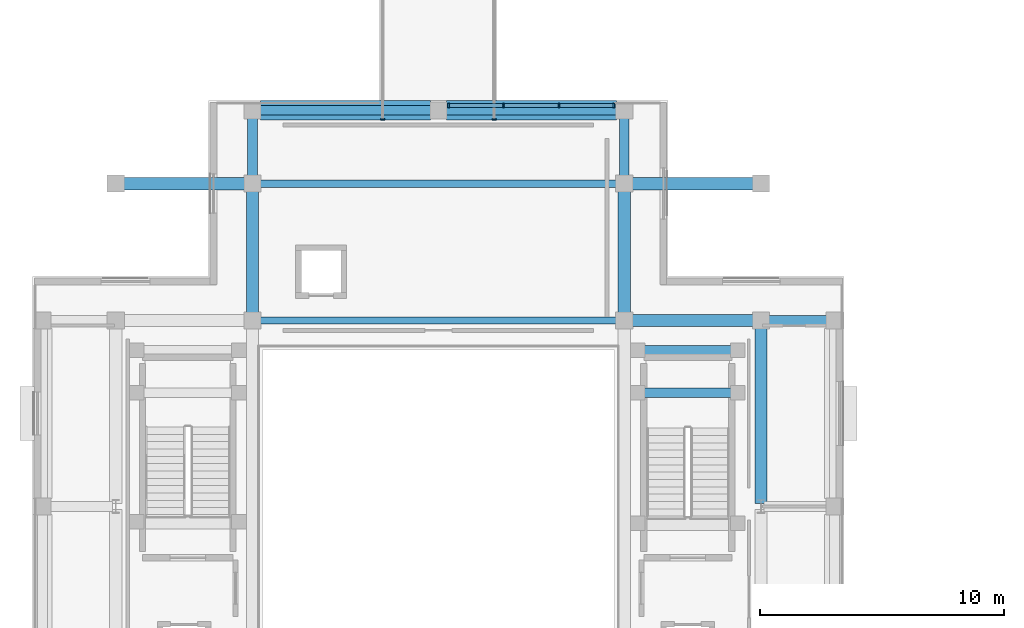
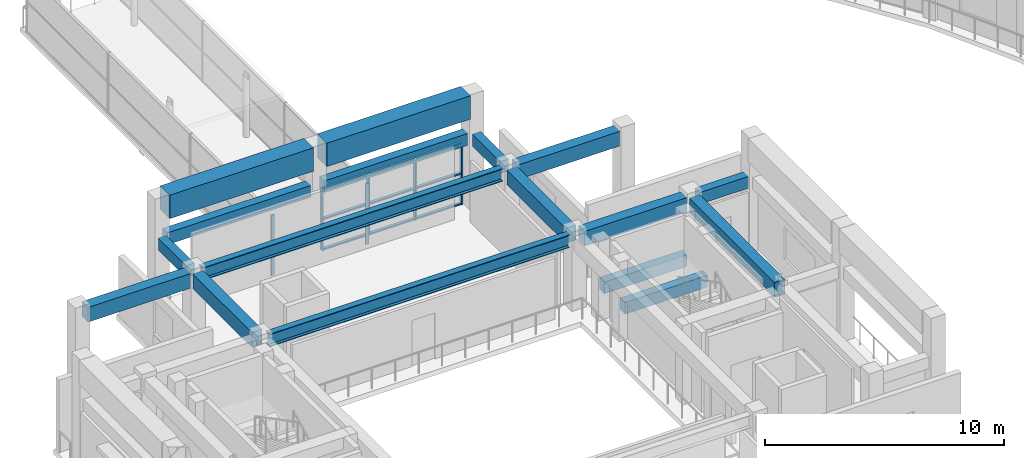
# One storey, part 8 of 29: 17 beams, 15 members, 3 elements without a shape of their own.
"""IFC4 building model written with IfcOpenShell, lengths in metres."""

from ifc_helpers import new_model, si_unit, direction, frame, origin, origin_2d, place, context, subcontext, project, spatial, rectangle, i_section, extrude, material, material_profile, profile_set, type_object, element, aggregate, save


model = new_model("IFC4")

# Units and contexts
model_context = context("Model", 3, precision=1e-05, world=origin(), true_north=direction((0.0, 1.0)))
body_context = subcontext(model_context, "Body", "Model", "MODEL_VIEW")
ifc_project = project(units=[si_unit("LENGTHUNIT", "METRE"), si_unit("AREAUNIT", "SQUARE_METRE"), si_unit("VOLUMEUNIT", "CUBIC_METRE"), si_unit("PLANEANGLEUNIT", "RADIAN"), si_unit("MASSUNIT", "GRAM", prefix="KILO")], contexts=[model_context])

# Site, building, storey
site_placement = place(None, origin())
site = spatial("IfcSite", under=ifc_project, at=site_placement, CompositionType="ELEMENT")
building_placement = place(site_placement, origin())
building = spatial("IfcBuilding", under=site, at=building_placement, Name="Saryqyr Civic Hall", CompositionType="ELEMENT")
storey_placement = place(building_placement, frame((0.0, 0.0, 25.35009765625)))
storey = spatial("IfcBuildingStorey", under=building, at=storey_placement, Name="L06", CompositionType="ELEMENT", Elevation=25.35009765625)

# Curtain wall, member
ifc_material_1 = material(Name="Anodised aluminium and triple low-E glass", Category="aluminium")
curtain_wall_type_1 = type_object("IfcCurtainWallType", Name="ENV-CW-STD-88", PredefinedType="NOTDEFINED", material=ifc_material_1)
curtain_wall_1_placement = place(storey_placement, origin())
curtain_wall_1 = element("IfcCurtainWall", 1, at=curtain_wall_1_placement, inside=storey, type_object=curtain_wall_type_1, Name="Curtain wall BR-CN-CW1-L06", PredefinedType="NOTDEFINED")
ifc_material_2 = material(Name="Anodised aluminium", Category="aluminium")
ifc_material_profile_1 = material_profile(ifc_material_2, rectangle(XDim=0.06005859375, YDim=0.159912109375, at=origin_2d()), Name="ALU MULLION 60x160")
ifc_profile_set_1 = profile_set([ifc_material_profile_1], Name="Anodised aluminium")
member_type_1 = type_object("IfcMemberType", Name="ENV-CW-MUL-180", PredefinedType="MULLION", material=ifc_profile_set_1)
member_1_placement = place(storey_placement, frame((54.719970703125, 99.830078125, 0.0), z_axis=(0.0, 0.0, 1.0), x_axis=(0.0, 1.0, 0.0)))
member_1 = element("IfcMember", 2, at=member_1_placement, type_object=member_type_1, Name="CW-88 mullion 1", PredefinedType="MULLION", context=body_context, shape_type="SweptSolid", body=[
    extrude(rectangle(XDim=0.06005859375, YDim=0.159912109375, at=origin_2d()), origin(), (0.0, 0.0, 1.0), 3.099853515625),
])
aggregate(curtain_wall_1, [member_1])

curtain_wall_2_placement = place(storey_placement, origin())
curtain_wall_2 = element("IfcCurtainWall", 3, at=curtain_wall_2_placement, inside=storey, type_object=curtain_wall_type_1, Name="Curtain wall BR-CN-CW2-L06", PredefinedType="NOTDEFINED")
member_2_placement = place(storey_placement, frame((59.280029296875, 99.830078125, 0.0), z_axis=(0.0, 0.0, 1.0), x_axis=(0.0, -1.0, 0.0)))
member_2 = element("IfcMember", 4, at=member_2_placement, type_object=member_type_1, Name="CW-88 mullion 4", PredefinedType="MULLION", context=body_context, shape_type="SweptSolid", body=[
    extrude(rectangle(XDim=0.06005859375, YDim=0.159912109375, at=origin_2d()), origin(), (0.0, 0.0, 1.0), 3.099853515625),
])
aggregate(curtain_wall_2, [member_2])

# Curtain wall, members
curtain_wall_type_2 = type_object("IfcCurtainWallType", Name="ENV-CW-HVY-49", PredefinedType="NOTDEFINED", material=ifc_material_1)
curtain_wall_3_placement = place(storey_placement, origin())
curtain_wall_3 = element("IfcCurtainWall", 5, at=curtain_wall_3_placement, inside=storey, type_object=curtain_wall_type_2, Name="Curtain wall V1-CW-L06-05", PredefinedType="NOTDEFINED")
ifc_material_profile_2 = material_profile(ifc_material_2, rectangle(XDim=0.070068359375, YDim=0.199951171875, at=origin_2d()), Name="ALU MULLION 70x200")
ifc_profile_set_2 = profile_set([ifc_material_profile_2], Name="Anodised aluminium")
member_type_2 = type_object("IfcMemberType", Name="ENV-CW-MUL-220", PredefinedType="MULLION", material=ifc_profile_set_2)
member_3_placement = place(storey_placement, frame((57.425048828125, 100.39990234375, 0.0), z_axis=(0.0, 0.0, 1.0), x_axis=(1.0, 0.0, 0.0)))
member_3 = element("IfcMember", 6, at=member_3_placement, type_object=member_type_2, Name="CW-49 mullion 1", PredefinedType="MULLION", context=body_context, shape_type="SweptSolid", body=[
    extrude(rectangle(XDim=0.070068359375, YDim=0.199951171875, at=origin_2d()), origin(), (0.0, 0.0, 1.0), 3.1748046875),
])
member_4_placement = place(storey_placement, frame((59.663330078125, 100.39990234375, 0.0), z_axis=(0.0, 0.0, 1.0), x_axis=(1.0, 0.0, 0.0)))
member_4 = element("IfcMember", 7, at=member_4_placement, type_object=member_type_2, Name="CW-49 mullion 2", PredefinedType="MULLION", context=body_context, shape_type="SweptSolid", body=[
    extrude(rectangle(XDim=0.070068359375, YDim=0.199951171875, at=origin_2d()), origin(), (0.0, 0.0, 1.0), 3.1748046875),
])
member_5_placement = place(storey_placement, frame((61.936767578125, 100.39990234375, 0.0), z_axis=(0.0, 0.0, 1.0), x_axis=(1.0, 0.0, 0.0)))
member_5 = element("IfcMember", 8, at=member_5_placement, type_object=member_type_2, Name="CW-49 mullion 3", PredefinedType="MULLION", context=body_context, shape_type="SweptSolid", body=[
    extrude(rectangle(XDim=0.070068359375, YDim=0.199951171875, at=origin_2d()), origin(), (0.0, 0.0, 1.0), 3.1748046875),
])
member_6_placement = place(storey_placement, frame((64.175048828125, 100.39990234375, 0.0), z_axis=(0.0, 0.0, 1.0), x_axis=(1.0, 0.0, 0.0)))
member_6 = element("IfcMember", 9, at=member_6_placement, type_object=member_type_2, Name="CW-49 mullion 4", PredefinedType="MULLION", context=body_context, shape_type="SweptSolid", body=[
    extrude(rectangle(XDim=0.070068359375, YDim=0.199951171875, at=origin_2d()), origin(), (0.0, 0.0, 1.0), 3.1748046875),
])
ifc_material_profile_3 = material_profile(ifc_material_2, rectangle(XDim=0.14990234375, YDim=0.070068359375, at=origin_2d()), Name="ALU TRANSOM 150x70")
ifc_profile_set_3 = profile_set([ifc_material_profile_3], Name="Anodised aluminium")
member_type_3 = type_object("IfcMemberType", Name="ENV-CW-TRN-180", PredefinedType="USERDEFINED", material=ifc_profile_set_3)
member_7_placement = place(storey_placement, frame((57.4599609375, 100.39990234375, 0.034912109375), z_axis=(1.0, 0.0, 0.0), x_axis=(0.0, 1.0, 0.0)))
member_7 = element("IfcMember", 10, at=member_7_placement, type_object=member_type_3, Name="CW-49 transom 1.1", ObjectType="TRANSOM", PredefinedType="USERDEFINED", context=body_context, shape_type="SweptSolid", body=[
    extrude(rectangle(XDim=0.14990234375, YDim=0.070068359375, at=origin_2d()), origin(), (0.0, 0.0, 1.0), 2.16845703125),
])
member_8_placement = place(storey_placement, frame((57.4599609375, 100.39990234375, 1.587890625), z_axis=(1.0, 0.0, 0.0), x_axis=(0.0, 1.0, 0.0)))
member_8 = element("IfcMember", 11, at=member_8_placement, type_object=member_type_3, Name="CW-49 transom 1.2", ObjectType="TRANSOM", PredefinedType="USERDEFINED", context=body_context, shape_type="SweptSolid", body=[
    extrude(rectangle(XDim=0.14990234375, YDim=0.070068359375, at=origin_2d()), origin(), (0.0, 0.0, 1.0), 2.16845703125),
])
member_9_placement = place(storey_placement, frame((57.4599609375, 100.39990234375, 3.139892578125), z_axis=(1.0, 0.0, 0.0), x_axis=(0.0, 1.0, 0.0)))
member_9 = element("IfcMember", 12, at=member_9_placement, type_object=member_type_3, Name="CW-49 transom 1.3", ObjectType="TRANSOM", PredefinedType="USERDEFINED", context=body_context, shape_type="SweptSolid", body=[
    extrude(rectangle(XDim=0.14990234375, YDim=0.070068359375, at=origin_2d()), origin(), (0.0, 0.0, 1.0), 2.16845703125),
])
member_10_placement = place(storey_placement, frame((59.6982421875, 100.39990234375, 0.034912109375), z_axis=(1.0, 0.0, 0.0), x_axis=(0.0, 1.0, 0.0)))
member_10 = element("IfcMember", 13, at=member_10_placement, type_object=member_type_3, Name="CW-49 transom 2.1", ObjectType="TRANSOM", PredefinedType="USERDEFINED", context=body_context, shape_type="SweptSolid", body=[
    extrude(rectangle(XDim=0.14990234375, YDim=0.070068359375, at=origin_2d()), origin(), (0.0, 0.0, 1.0), 2.203369140625),
])
member_11_placement = place(storey_placement, frame((59.6982421875, 100.39990234375, 1.587890625), z_axis=(1.0, 0.0, 0.0), x_axis=(0.0, 1.0, 0.0)))
member_11 = element("IfcMember", 14, at=member_11_placement, type_object=member_type_3, Name="CW-49 transom 2.2", ObjectType="TRANSOM", PredefinedType="USERDEFINED", context=body_context, shape_type="SweptSolid", body=[
    extrude(rectangle(XDim=0.14990234375, YDim=0.070068359375, at=origin_2d()), origin(), (0.0, 0.0, 1.0), 2.203369140625),
])
member_12_placement = place(storey_placement, frame((59.6982421875, 100.39990234375, 3.139892578125), z_axis=(1.0, 0.0, 0.0), x_axis=(0.0, 1.0, 0.0)))
member_12 = element("IfcMember", 15, at=member_12_placement, type_object=member_type_3, Name="CW-49 transom 2.3", ObjectType="TRANSOM", PredefinedType="USERDEFINED", context=body_context, shape_type="SweptSolid", body=[
    extrude(rectangle(XDim=0.14990234375, YDim=0.070068359375, at=origin_2d()), origin(), (0.0, 0.0, 1.0), 2.203369140625),
])
member_13_placement = place(storey_placement, frame((61.9716796875, 100.39990234375, 0.034912109375), z_axis=(1.0, 0.0, 0.0), x_axis=(0.0, 1.0, 0.0)))
member_13 = element("IfcMember", 16, at=member_13_placement, type_object=member_type_3, Name="CW-49 transom 3.1", ObjectType="TRANSOM", PredefinedType="USERDEFINED", context=body_context, shape_type="SweptSolid", body=[
    extrude(rectangle(XDim=0.14990234375, YDim=0.070068359375, at=origin_2d()), origin(), (0.0, 0.0, 1.0), 2.168212890625),
])
member_14_placement = place(storey_placement, frame((61.9716796875, 100.39990234375, 1.587890625), z_axis=(1.0, 0.0, 0.0), x_axis=(0.0, 1.0, 0.0)))
member_14 = element("IfcMember", 17, at=member_14_placement, type_object=member_type_3, Name="CW-49 transom 3.2", ObjectType="TRANSOM", PredefinedType="USERDEFINED", context=body_context, shape_type="SweptSolid", body=[
    extrude(rectangle(XDim=0.14990234375, YDim=0.070068359375, at=origin_2d()), origin(), (0.0, 0.0, 1.0), 2.168212890625),
])
member_15_placement = place(storey_placement, frame((61.9716796875, 100.39990234375, 3.139892578125), z_axis=(1.0, 0.0, 0.0), x_axis=(0.0, 1.0, 0.0)))
member_15 = element("IfcMember", 18, at=member_15_placement, type_object=member_type_3, Name="CW-49 transom 3.3", ObjectType="TRANSOM", PredefinedType="USERDEFINED", context=body_context, shape_type="SweptSolid", body=[
    extrude(rectangle(XDim=0.14990234375, YDim=0.070068359375, at=origin_2d()), origin(), (0.0, 0.0, 1.0), 2.168212890625),
])
aggregate(curtain_wall_3, [member_3, member_4, member_5, member_6, member_7, member_8, member_9, member_10, member_11, member_12, member_13, member_14, member_15])

# Beams
ifc_material_3 = material(Name="Steel S355", Category="steel")
ifc_material_profile_4 = material_profile(ifc_material_3, i_section(OverallWidth=0.300048828125, OverallDepth=0.64990234375, WebThickness=0.01611328125, FlangeThickness=0.031005859375, at=origin_2d()), Name="HEB 650")
ifc_profile_set_4 = profile_set([ifc_material_profile_4], Name="Steel S355")
beam_type_1 = type_object("IfcBeamType", Name="STR-BM-HEB650", PredefinedType="BEAM", material=ifc_profile_set_4)
for number, where, z_axis, x_axis, name in (
    (19, (49.72509765625, 91.60009765625, 3.474853515625), (1.0, 0.0, 0.0), (0.0, 1.0, 0.0), "Beam V1-GBM-EW3-L06"),
    (20, (49.72509765625, 97.199951171875, 3.474853515625), (1.0, 0.0, 0.0), (0.0, 1.0, 0.0), "Beam V1-GBM-EW4-L06"),
):
    element("IfcBeam", number, at=place(storey_placement, frame(where, z_axis=z_axis, x_axis=x_axis)), inside=storey, type_object=beam_type_1, Name=name, PredefinedType="BEAM", context=body_context, shape_type="SweptSolid", body=[
        extrude(i_section(OverallWidth=0.300048828125, OverallDepth=0.64990234375, WebThickness=0.01611328125, FlangeThickness=0.031005859375, at=origin_2d()), origin(), (0.0, 0.0, 1.0), 14.5498046875),
    ])
ifc_material_4 = material(Name="Concrete C35/45", Category="concrete")
ifc_material_profile_5 = material_profile(ifc_material_4, rectangle(XDim=0.39990234375, YDim=0.60009765625, at=origin_2d()), Name="RC 400x600")
ifc_profile_set_5 = profile_set([ifc_material_profile_5], Name="Concrete C35/45")
beam_type_2 = type_object("IfcBeamType", Name="STR-BM-RC400x600", PredefinedType="BEAM", material=ifc_profile_set_5)
for number, where, z_axis, x_axis, name in (
    (21, (70.52490234375, 91.60009765625, 3.5), (1.0, 0.0, 0.0), (0.0, 1.0, 0.0), "Beam V1-TBM-06-L06"),
    (22, (49.39990234375, 97.52490234375, 3.5), (0.0, 1.0, 0.0), (-1.0, 0.0, 0.0), "Beam V1-TBM-09-L06"),
    (23, (64.60009765625, 97.52490234375, 3.5), (0.0, 1.0, 0.0), (-1.0, 0.0, 0.0), "Beam V1-TBM-10-L06"),
):
    element("IfcBeam", number, at=place(storey_placement, frame(where, z_axis=z_axis, x_axis=x_axis)), inside=storey, type_object=beam_type_2, Name=name, PredefinedType="BEAM", context=body_context, shape_type="SweptSolid", body=[
        extrude(rectangle(XDim=0.39990234375, YDim=0.60009765625, at=origin_2d()), origin(), (0.0, 0.0, 1.0), 2.35009765625),
    ])
for number, where, z_axis, x_axis, name in (
    (24, (49.72509765625, 100.199951171875, 3.5), (1.0, 0.0, 0.0), (0.0, 1.0, 0.0), "Beam V1-TBM-17-L06"),
    (25, (57.324951171875, 100.199951171875, 3.5), (1.0, 0.0, 0.0), (0.0, 1.0, 0.0), "Beam V1-TBM-18-L06"),
):
    element("IfcBeam", number, at=place(storey_placement, frame(where, z_axis=z_axis, x_axis=x_axis)), inside=storey, type_object=beam_type_2, Name=name, PredefinedType="BEAM", context=body_context, shape_type="SweptSolid", body=[
        extrude(rectangle(XDim=0.39990234375, YDim=0.60009765625, at=origin_2d()), origin(), (0.0, 0.0, 1.0), 6.949951171875),
    ])
for number, where, z_axis, x_axis, name in (
    (26, (69.199951171875, 88.64990234375, 1.52490234375), (-1.0, 0.0, 0.0), (0.0, -1.0, 0.0), "Stair half-landing support beam ST-2-LND1-L06"),
    (27, (69.199951171875, 90.3798828125, 1.52490234375), (-1.0, 0.0, 0.0), (0.0, -1.0, 0.0), "Stair half-landing support beam ST-2-LND2-L06"),
):
    element("IfcBeam", number, at=place(storey_placement, frame(where, z_axis=z_axis, x_axis=x_axis)), inside=storey, type_object=beam_type_2, Name=name, PredefinedType="BEAM", context=body_context, shape_type="SweptSolid", body=[
        extrude(rectangle(XDim=0.39990234375, YDim=0.60009765625, at=origin_2d()), origin(), (0.0, 0.0, 1.0), 4.0),
    ])
ifc_material_5 = material(Name="Concrete C40/50", Category="concrete")
ifc_material_profile_6 = material_profile(ifc_material_5, rectangle(XDim=0.5, YDim=0.75, at=origin_2d()), Name="RC 500x750")
ifc_profile_set_6 = profile_set([ifc_material_profile_6], Name="Concrete C40/50")
beam_type_3 = type_object("IfcBeamType", Name="STR-BM-RC500x750", PredefinedType="BEAM", material=ifc_profile_set_6)
for number, where, z_axis, x_axis, name in (
    (28, (64.925048828125, 91.60009765625, 3.4248046875), (1.0, 0.0, 0.0), (0.0, 1.0, 0.0), "Beam V1-WBM-E3-L06"),
    (29, (44.125, 97.199951171875, 3.4248046875), (1.0, 0.0, 0.0), (0.0, 1.0, 0.0), "Beam V1-WBM-W4-L06"),
    (30, (64.925048828125, 97.199951171875, 3.4248046875), (1.0, 0.0, 0.0), (0.0, 1.0, 0.0), "Beam V1-WBM-E4-L06"),
    (31, (49.39990234375, 91.925048828125, 3.4248046875), (0.0, 1.0, 0.0), (-1.0, 0.0, 0.0), "Beam V1-BM-NS23-L06"),
    (32, (64.60009765625, 91.925048828125, 3.4248046875), (0.0, 1.0, 0.0), (-1.0, 0.0, 0.0), "Beam V1-BM-NS33-L06"),
):
    element("IfcBeam", number, at=place(storey_placement, frame(where, z_axis=z_axis, x_axis=x_axis)), inside=storey, type_object=beam_type_3, Name=name, PredefinedType="BEAM", context=body_context, shape_type="SweptSolid", body=[
        extrude(rectangle(XDim=0.5, YDim=0.75, at=origin_2d()), origin(), (0.0, 0.0, 1.0), 4.949951171875),
    ])
beam_placement = place(storey_placement, frame((70.199951171875, 84.125, 3.4248046875), z_axis=(0.0, 1.0, 0.0), x_axis=(-1.0, 0.0, 0.0)))
element("IfcBeam", 33, at=beam_placement, inside=storey, type_object=beam_type_3, Name="Beam V1-BM-NS4B-L06", PredefinedType="BEAM", context=body_context, shape_type="SweptSolid", body=[
    extrude(rectangle(XDim=0.5, YDim=0.75, at=origin_2d()), origin(), (0.0, 0.0, 1.0), 7.14990234375),
])
ifc_material_profile_7 = material_profile(ifc_material_5, rectangle(XDim=0.800048828125, YDim=1.199951171875, at=origin_2d()), Name="RC 800x1200")
ifc_profile_set_7 = profile_set([ifc_material_profile_7], Name="Concrete C40/50")
beam_type_4 = type_object("IfcBeamType", Name="STR-BM-RING-RC800x1200", PredefinedType="BEAM", material=ifc_profile_set_7)
for number, where, z_axis, x_axis, name in (
    (34, (49.72509765625, 100.199951171875, 5.25), (1.0, 0.0, 0.0), (0.0, 1.0, 0.0), "Beam V1-RB31-07"),
    (35, (57.324951171875, 100.199951171875, 5.25), (1.0, 0.0, 0.0), (0.0, 1.0, 0.0), "Beam V1-RB31-08"),
):
    element("IfcBeam", number, at=place(storey_placement, frame(where, z_axis=z_axis, x_axis=x_axis)), inside=storey, type_object=beam_type_4, Name=name, PredefinedType="BEAM", context=body_context, shape_type="SweptSolid", body=[
        extrude(rectangle(XDim=0.800048828125, YDim=1.199951171875, at=origin_2d()), origin(), (0.0, 0.0, 1.0), 6.949951171875),
    ])

save(model, "model.ifc")
